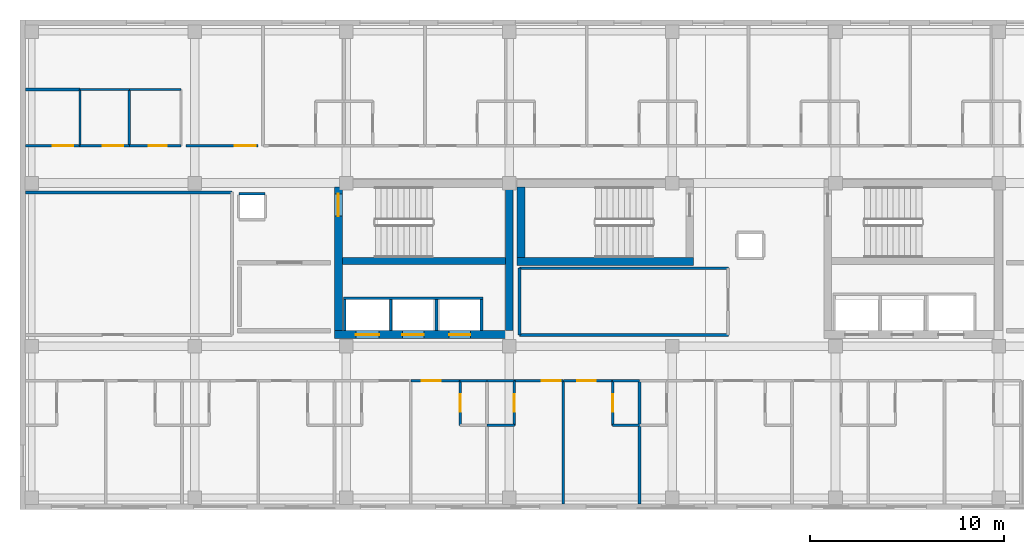
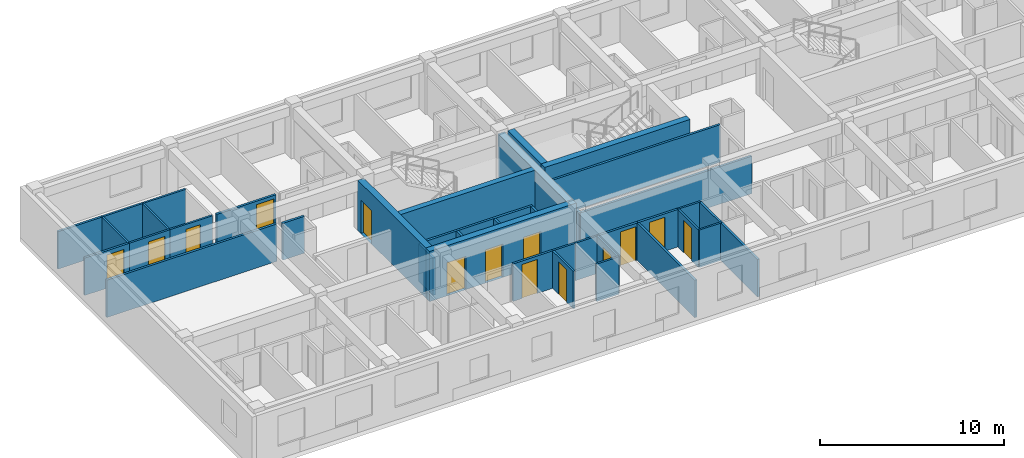
# One storey, part 3 of 10: 38 walls, 14 doors, 14 openings.
"""IFC4 building model written with IfcOpenShell, lengths in metres."""

import ifcopenshell
import ifcopenshell.guid

model = None  # the IFC model being written
_history = None  # IfcOwnerHistory: only IFC2X3 demands one
_inside = {}  # id of a spatial element -> (the spatial element, [elements in it])
_under = {}  # id of a project, library or spatial element -> (it, [spatial elements below it])
_declared = {}  # id of a project -> (the project, [libraries it declares])
_typed = {}  # id of a type object -> (the type object, [elements of that type])
_made_of = {}  # id of a material, layer set ... -> (it, [elements and type objects made of it])


def new_model(schema):
    """Start an empty IFC model of exactly this schema.

    Asked for "IFC4X3", IfcOpenShell would pick the latest addendum, in which some entities
    have other attributes; the version numbers below select the first issue.
    IFC2X3 requires an IfcOwnerHistory on every rooted entity: one is made here for all.
    """
    global model, _history
    if schema == "IFC4X3":
        model = ifcopenshell.file(schema_version=(4, 3, 0, 0))
    else:
        model = ifcopenshell.file(schema=schema)
    _inside.clear()
    _under.clear()
    _declared.clear()
    _typed.clear()
    _made_of.clear()
    _history = None
    if model.schema == "IFC2X3":
        org = make("IfcOrganization", Name="unknown")
        user = make(
            "IfcPersonAndOrganization",
            ThePerson=make("IfcPerson", FamilyName="unknown"),
            TheOrganization=org,
        )
        app = make(
            "IfcApplication",
            ApplicationDeveloper=org,
            Version="unknown",
            ApplicationFullName="unknown",
            ApplicationIdentifier="unknown",
        )
        _history = make(
            "IfcOwnerHistory",
            OwningUser=user,
            OwningApplication=app,
            ChangeAction="ADDED",
            CreationDate=0,
        )
    return model


def make(cls, **values):
    """One entity of the class cls with the attributes given. An attribute that is None is left unset."""
    return model.create_entity(
        cls, **{name: value for name, value in values.items() if value is not None}
    )


def rooted(cls, **values):
    """An entity with a GlobalId (a new one), such as an element, a storey or a relation."""
    return make(cls, GlobalId=ifcopenshell.guid.new(), OwnerHistory=_history, **values)


def si_unit(unit_type, name, prefix=None):
    """IfcSIUnit, for example si_unit("LENGTHUNIT", "METRE", prefix="MILLI")."""
    return make("IfcSIUnit", UnitType=unit_type, Prefix=prefix, Name=name)


def assignment(units):
    """IfcUnitAssignment: the units of a project."""
    return None if units is None else make("IfcUnitAssignment", Units=units)


def point(xyz):
    """IfcCartesianPoint."""
    return None if xyz is None else make("IfcCartesianPoint", Coordinates=xyz)


def direction(xyz):
    """IfcDirection."""
    return None if xyz is None else make("IfcDirection", DirectionRatios=xyz)


def frame(location, z_axis=None, x_axis=None):
    """IfcAxis2Placement3D, a coordinate frame: its origin and axes. An axis left out is left unset."""
    return make(
        "IfcAxis2Placement3D",
        Location=point(location),
        Axis=direction(z_axis),
        RefDirection=direction(x_axis),
    )


def frame_2d(location, x_axis=None):
    """IfcAxis2Placement2D, a coordinate frame in the plane: its origin and x axis."""
    return make(
        "IfcAxis2Placement2D", Location=point(location), RefDirection=direction(x_axis)
    )


def origin():
    """The frame at (0, 0, 0) with its axes left unset."""
    return frame((0.0, 0.0, 0.0))


def place(relative_to, where):
    """IfcLocalPlacement: puts the frame where relative to a parent placement (None: the world)."""
    return make(
        "IfcLocalPlacement", PlacementRelTo=relative_to, RelativePlacement=where
    )


def context(
    kind, dimensions, precision=None, world=None, true_north=None, identifier=None
):
    """IfcGeometricRepresentationContext, for example the 3D "Model" context."""
    return make(
        "IfcGeometricRepresentationContext",
        ContextIdentifier=identifier,
        ContextType=kind,
        CoordinateSpaceDimension=dimensions,
        Precision=precision,
        WorldCoordinateSystem=world,
        TrueNorth=true_north,
    )


def subcontext(parent, identifier, kind, view, scale=None):
    """IfcGeometricRepresentationSubContext, for example "Body" below "Model"."""
    return make(
        "IfcGeometricRepresentationSubContext",
        ContextIdentifier=identifier,
        ContextType=kind,
        ParentContext=parent,
        TargetScale=scale,
        TargetView=view,
    )


def project(units=None, contexts=None):
    """IfcProject with its units and contexts."""
    return rooted(
        "IfcProject",
        Name="project",
        RepresentationContexts=contexts,
        UnitsInContext=assignment(units),
    )


def spatial(cls, under=None, at=None, **own):
    """A site, building, storey or space (cls), placed at a placement, below another one or the project."""
    s = rooted(cls, ObjectPlacement=at, **own)
    if under is not None:
        _under.setdefault(under.id(), (under, []))[1].append(s)
    return s


def profile(cls, at=None, kind="AREA", **sizes):
    """A parametric profile (cls). Its sizes go by their IFC names, for example OverallWidth=200.0."""
    return make(cls, ProfileType=kind, Position=at, **sizes)


def rectangle(**sizes):
    """IfcRectangleProfileDef."""
    return profile("IfcRectangleProfileDef", **sizes)


def extrude(swept, where, along, depth):
    """IfcExtrudedAreaSolid: the profile swept, set in the frame where, extruded along a direction by depth."""
    return make(
        "IfcExtrudedAreaSolid",
        SweptArea=swept,
        Position=where,
        ExtrudedDirection=direction(along),
        Depth=depth,
    )


def shape(context_of_items, identifier, shape_type, items):
    """IfcShapeRepresentation: the items that make up one representation, for example the "Body"."""
    return make(
        "IfcShapeRepresentation",
        ContextOfItems=context_of_items,
        RepresentationIdentifier=identifier,
        RepresentationType=shape_type,
        Items=items,
    )


def material(Name=None, Category=None):
    """IfcMaterial."""
    return make("IfcMaterial", Name=Name, Category=Category)


def layer(
    of_material, thickness, ventilated=None, Name=None, Category=None, Priority=None
):
    """IfcMaterialLayer: one layer of a wall or slab, of a material (None: an air gap)."""
    return make(
        "IfcMaterialLayer",
        Material=of_material,
        LayerThickness=thickness,
        IsVentilated=ventilated,
        Name=Name,
        Category=Category,
        Priority=Priority,
    )


def layer_set(layers, Name=None):
    """IfcMaterialLayerSet."""
    return make("IfcMaterialLayerSet", MaterialLayers=layers, LayerSetName=Name)


def made_of(thing, what):
    """Note that an element or type object is made of a material, layer set ...; save() writes the relation."""
    if what is not None:
        _made_of.setdefault(what.id(), (what, []))[1].append(thing)
    return thing


def type_object(cls, material=None, **own):
    """A type object (cls), such as IfcWallType, which elements share."""
    return made_of(rooted(cls, **own), material)


def element(
    cls,
    number,
    at=None,
    inside=None,
    cuts=None,
    type_object=None,
    material=None,
    context=None,
    identifier="Body",
    shape_type=None,
    held_by="IfcProductDefinitionShape",
    body=None,
    shapes=None,
    **own,
):
    """One element of the class cls, such as IfcWall. Its Tag is "e" and its number.

    at: its placement. inside: the storey or other place that contains it. cuts: it is an
    opening in that element (IfcRelVoidsElement). A single representation is given by context,
    identifier, shape_type and body (its items); several are given by shapes. held_by: the class
    of the entity that holds the representations. save() writes the other relations.
    """
    e = rooted(cls, Tag="e%d" % number, ObjectPlacement=at, **own)
    if body is not None:
        shapes = [shape(context, identifier, shape_type, body)]
    if shapes is not None:
        e.Representation = make(held_by, Representations=shapes)
    if inside is not None:
        _inside.setdefault(inside.id(), (inside, []))[1].append(e)
    if cuts is not None:
        rooted(
            "IfcRelVoidsElement", RelatingBuildingElement=cuts, RelatedOpeningElement=e
        )
    if type_object is not None:
        _typed.setdefault(type_object.id(), (type_object, []))[1].append(e)
    return made_of(e, material)


def fill(opening, filler):
    """IfcRelFillsElement: the door or window that sits in an opening."""
    return rooted(
        "IfcRelFillsElement",
        RelatingOpeningElement=opening,
        RelatedBuildingElement=filler,
    )


def aggregate(whole, parts):
    """IfcRelAggregates: a whole, such as a stair, and the parts it consists of."""
    return rooted("IfcRelAggregates", RelatingObject=whole, RelatedObjects=parts)


def save(model, path):
    """Write the relations noted so far, then the file.

    IfcRelAggregates (storeys below a building ...), IfcRelContainedInSpatialStructure (elements
    in a storey), IfcRelDefinesByType, IfcRelAssociatesMaterial and IfcRelDeclares: one each for
    every whole, place, type object, material and project.
    """
    for whole, parts in _under.values():
        aggregate(whole, parts)
    for where, things in _inside.values():
        rooted(
            "IfcRelContainedInSpatialStructure",
            RelatedElements=things,
            RelatingStructure=where,
        )
    for kind, things in _typed.values():
        rooted("IfcRelDefinesByType", RelatedObjects=things, RelatingType=kind)
    for what, things in _made_of.values():
        rooted("IfcRelAssociatesMaterial", RelatedObjects=things, RelatingMaterial=what)
    for by, libraries in _declared.values():
        rooted("IfcRelDeclares", RelatingContext=by, RelatedDefinitions=libraries)
    model.write(path)


model = new_model("IFC4")

# Units and contexts
model_context = context("Model", 3, precision=1e-05, world=origin(), true_north=direction((0.0, 1.0)))
body_context = subcontext(model_context, "Body", "Model", "MODEL_VIEW")
ifc_project = project(units=[si_unit("LENGTHUNIT", "METRE"), si_unit("AREAUNIT", "SQUARE_METRE"), si_unit("VOLUMEUNIT", "CUBIC_METRE"), si_unit("PLANEANGLEUNIT", "RADIAN"), si_unit("MASSUNIT", "GRAM", prefix="KILO")], contexts=[model_context])

# Site, building, storey
site_placement = place(None, origin())
site = spatial("IfcSite", under=ifc_project, at=site_placement, CompositionType="ELEMENT")
building_placement = place(site_placement, origin())
building = spatial("IfcBuilding", under=site, at=building_placement, Name="Zayran Congress Hotel", CompositionType="ELEMENT")
storey_placement = place(building_placement, frame((0.0, 0.0, 30.0)))
storey = spatial("IfcBuildingStorey", under=building, at=storey_placement, Name="L07", CompositionType="ELEMENT", Elevation=30.0)

# Wall, openings, doors
ifc_material_1 = material(Name="Concrete C40/50", Category="concrete")
ifc_layer_1 = layer(ifc_material_1, 0.39990234375)
ifc_layer_set_1 = layer_set([ifc_layer_1], Name="Concrete C40/50")
wall_type_1 = type_object("IfcWallType", Name="WL-SH-400", PredefinedType="SHEAR", material=ifc_layer_set_1)
wall_1_placement = place(storey_placement, frame((24.60009765625, 17.800048828125, 0.0), z_axis=(0.0, 0.0, 1.0), x_axis=(1.0, 0.0, 0.0)))
wall_1 = element("IfcWall", 1, at=wall_1_placement, inside=storey, type_object=wall_type_1, Name="CWALL-C-V5W-L07-S", PredefinedType="SHEAR", context=body_context, shape_type="SweptSolid", body=[
    extrude(rectangle(XDim=9.199951171875, YDim=0.39990234375, at=frame_2d((4.60009765625, 0.0))), origin(), (0.0, 0.0, 1.0), 3.320068359375),
])
opening_1_placement = place(wall_1_placement, frame((1.10009765625, 0.0, 0.0)))
opening_1 = element("IfcOpeningElement", 2, at=opening_1_placement, cuts=wall_1, Name="Opening LD-FL01", PredefinedType="OPENING", context=body_context, shape_type="SweptSolid", body=[
    extrude(rectangle(XDim=1.199951171875, YDim=2.199951171875, at=frame_2d((0.60009765625, 1.10009765625))), frame((0.0, 0.2099609375, 0.0), z_axis=(0.0, -1.0, 0.0), x_axis=(1.0, 0.0, 0.0)), (0.0, 0.0, 1.0), 0.419921875),
])
opening_2_placement = place(wall_1_placement, frame((3.5, 0.0, 0.0)))
opening_2 = element("IfcOpeningElement", 3, at=opening_2_placement, cuts=wall_1, Name="Opening LD-PL01", PredefinedType="OPENING", context=body_context, shape_type="SweptSolid", body=[
    extrude(rectangle(XDim=1.10009765625, YDim=2.199951171875, at=frame_2d((0.550048828125, 1.10009765625))), frame((0.0, 0.2099609375, 0.0), z_axis=(0.0, -1.0, 0.0), x_axis=(1.0, 0.0, 0.0)), (0.0, 0.0, 1.0), 0.419921875),
])
opening_3_placement = place(wall_1_placement, frame((5.89990234375, 0.0, 0.0)))
opening_3 = element("IfcOpeningElement", 4, at=opening_3_placement, cuts=wall_1, Name="Opening LD-PL02", PredefinedType="OPENING", context=body_context, shape_type="SweptSolid", body=[
    extrude(rectangle(XDim=1.10009765625, YDim=2.199951171875, at=frame_2d((0.550048828125, 1.10009765625))), frame((0.0, 0.2099609375, 0.0), z_axis=(0.0, -1.0, 0.0), x_axis=(1.0, 0.0, 0.0)), (0.0, 0.0, 1.0), 0.419921875),
])
ifc_material_2 = material(Name="Brushed stainless steel sliding lift landing door", Category="steel")
door_type_1 = type_object("IfcDoorType", Name="TP-DR-LD-01", OperationType="DOUBLE_DOOR_SLIDING", PredefinedType="DOOR", material=ifc_material_2)
door_1_placement = place(opening_2_placement, origin())
door_1 = element("IfcDoor", 5, at=door_1_placement, inside=storey, type_object=door_type_1, Name="Lift PL-01 Sliding Landing Door L07", OperationType="DOUBLE_DOOR_SLIDING", OverallHeight=2.199951171875, OverallWidth=1.10009765625, PredefinedType="DOOR", context=body_context, shape_type="SweptSolid", body=[
    extrude(rectangle(XDim=1.10009765625, YDim=2.199951171875, at=frame_2d((0.550048828125, 1.10009765625))), frame((0.0, 0.02490234375, 0.0), z_axis=(0.0, -1.0, 0.0), x_axis=(1.0, 0.0, 0.0)), (0.0, 0.0, 1.0), 0.050048828125),
])
fill(opening_2, door_1)
door_2_placement = place(opening_3_placement, origin())
door_2 = element("IfcDoor", 6, at=door_2_placement, inside=storey, type_object=door_type_1, Name="Lift PL-02 Sliding Landing Door L07", OperationType="DOUBLE_DOOR_SLIDING", OverallHeight=2.199951171875, OverallWidth=1.10009765625, PredefinedType="DOOR", context=body_context, shape_type="SweptSolid", body=[
    extrude(rectangle(XDim=1.10009765625, YDim=2.199951171875, at=frame_2d((0.550048828125, 1.10009765625))), frame((0.0, 0.02490234375, 0.0), z_axis=(0.0, -1.0, 0.0), x_axis=(1.0, 0.0, 0.0)), (0.0, 0.0, 1.0), 0.050048828125),
])
fill(opening_3, door_2)
ifc_material_3 = material(Name="Brushed stainless steel firefighting lift landing door", Category="steel")
door_type_2 = type_object("IfcDoorType", Name="TP-DR-LD-02", OperationType="DOUBLE_DOOR_SLIDING", PredefinedType="DOOR", material=ifc_material_3)
door_3_placement = place(opening_1_placement, origin())
door_3 = element("IfcDoor", 7, at=door_3_placement, inside=storey, type_object=door_type_2, Name="Lift FL-01 Sliding Landing Door L07", OperationType="DOUBLE_DOOR_SLIDING", OverallHeight=2.199951171875, OverallWidth=1.199951171875, PredefinedType="DOOR", context=body_context, shape_type="SweptSolid", body=[
    extrude(rectangle(XDim=1.199951171875, YDim=2.199951171875, at=frame_2d((0.60009765625, 1.10009765625))), frame((0.0, 0.02490234375, 0.0), z_axis=(0.0, -1.0, 0.0), x_axis=(1.0, 0.0, 0.0)), (0.0, 0.0, 1.0), 0.050048828125),
])
fill(opening_1, door_3)

# Wall, opening, door
wall_2_placement = place(storey_placement, frame((24.800048828125, 25.39990234375, 0.0), z_axis=(0.0, 0.0, 1.0), x_axis=(0.0, -1.0, 0.0)))
wall_2 = element("IfcWall", 8, at=wall_2_placement, inside=storey, type_object=wall_type_1, Name="CWALL-C-V5W-L07-W", PredefinedType="SHEAR", context=body_context, shape_type="SweptSolid", body=[
    extrude(rectangle(XDim=7.39990234375, YDim=0.39990234375, at=frame_2d((3.699951171875, 0.0))), origin(), (0.0, 0.0, 1.0), 3.320068359375),
])
opening_4_placement = place(wall_2_placement, frame((0.35009765625, 0.0, 0.0)))
opening_4 = element("IfcOpeningElement", 9, at=opening_4_placement, cuts=wall_2, Name="Opening DR-FD-90", PredefinedType="OPENING", context=body_context, shape_type="SweptSolid", body=[
    extrude(rectangle(XDim=1.14990234375, YDim=2.199951171875, at=frame_2d((0.574951171875, 1.10009765625))), frame((0.0, 0.2099609375, 0.0), z_axis=(0.0, -1.0, 0.0), x_axis=(1.0, 0.0, 0.0)), (0.0, 0.0, 1.0), 0.419921875),
])
ifc_material_4 = material(Name="Painted steel fire door assembly", Category="steel")
door_type_3 = type_object("IfcDoorType", Name="TP-DR-FD-90", OperationType="NOTDEFINED", PredefinedType="DOOR", material=ifc_material_4)
door_4_placement = place(opening_4_placement, origin())
door_4 = element("IfcDoor", 10, at=door_4_placement, inside=storey, type_object=door_type_3, Name="ST-01 Exit Stair Door L07", OperationType="SINGLE_SWING_LEFT", OverallHeight=2.199951171875, OverallWidth=1.14990234375, PredefinedType="DOOR", context=body_context, shape_type="SweptSolid", body=[
    extrude(rectangle(XDim=1.14990234375, YDim=2.199951171875, at=frame_2d((0.574951171875, 1.10009765625))), frame((0.0, 0.02490234375, 0.0), z_axis=(0.0, -1.0, 0.0), x_axis=(1.0, 0.0, 0.0)), (0.0, 0.0, 1.0), 0.050048828125),
])
fill(opening_4, door_4)

# Walls
wall_3_placement = place(storey_placement, frame((33.60009765625, 18.0, 0.0), z_axis=(0.0, 0.0, 1.0), x_axis=(0.0, 1.0, 0.0)))
element("IfcWall", 11, at=wall_3_placement, inside=storey, type_object=wall_type_1, Name="CWALL-C-V5W-L07-E", PredefinedType="SHEAR", context=body_context, shape_type="SweptSolid", body=[
    extrude(rectangle(XDim=7.39990234375, YDim=0.39990234375, at=frame_2d((3.699951171875, 0.0))), origin(), (0.0, 0.0, 1.0), 3.320068359375),
])
wall_4_placement = place(storey_placement, frame((34.0, 21.56005859375, 0.0), z_axis=(0.0, 0.0, 1.0), x_axis=(1.0, 0.0, 0.0)))
element("IfcWall", 12, at=wall_4_placement, inside=storey, type_object=wall_type_1, Name="CWALL-C-V5M-L07-S", PredefinedType="SHEAR", context=body_context, shape_type="SweptSolid", body=[
    extrude(rectangle(XDim=9.10009765625, YDim=0.39990234375, at=frame_2d((4.550048828125, 0.0))), origin(), (0.0, 0.0, 1.0), 3.320068359375),
])
wall_5_placement = place(storey_placement, frame((34.199951171875, 25.39990234375, 0.0), z_axis=(0.0, 0.0, 1.0), x_axis=(0.0, -1.0, 0.0)))
element("IfcWall", 13, at=wall_5_placement, inside=storey, type_object=wall_type_1, Name="CWALL-C-V5M-L07-W", PredefinedType="SHEAR", context=body_context, shape_type="SweptSolid", body=[
    extrude(rectangle(XDim=3.639892578125, YDim=0.39990234375, at=frame_2d((1.81982421875, 0.0))), origin(), (0.0, 0.0, 1.0), 3.320068359375),
])
ifc_layer_2 = layer(ifc_material_1, 0.35009765625)
ifc_layer_set_2 = layer_set([ifc_layer_2], Name="Concrete C40/50")
wall_type_2 = type_object("IfcWallType", Name="WL-SH-350", PredefinedType="SHEAR", material=ifc_layer_set_2)
wall_6_placement = place(storey_placement, frame((25.0, 21.5849609375, 0.0), z_axis=(0.0, 0.0, 1.0), x_axis=(1.0, 0.0, 0.0)))
element("IfcWall", 14, at=wall_6_placement, inside=storey, type_object=wall_type_2, Name="CWALL-C-V5W-L07-SPN", PredefinedType="SHEAR", context=body_context, shape_type="SweptSolid", body=[
    extrude(rectangle(XDim=8.39990234375, YDim=0.35009765625, at=frame_2d((4.199951171875, 0.0))), origin(), (0.0, 0.0, 1.0), 3.320068359375),
])
ifc_material_5 = material(Name="Hospitality guestroom acoustic partition", Category="gypsum")
ifc_layer_3 = layer(ifc_material_5, 0.139892578125)
ifc_layer_set_3 = layer_set([ifc_layer_3], Name="Hospitality guestroom acoustic partition")
wall_type_3 = type_object("IfcWallType", Name="WL-PT-140", PredefinedType="PARTITIONING", material=ifc_layer_set_3)
for number, where, z_axis, x_axis, name in (
    (15, (25.1298828125, 18.0, 0.0), (0.0, 0.0, 1.0), (0.0, 1.0, 0.0), "LSHW-C-V5W-L07-W"),
    (16, (27.5, 18.0, 0.0), (0.0, 0.0, 1.0), (0.0, 1.0, 0.0), "LSHW-C-V5W-L07-DIV1"),
    (17, (29.85009765625, 18.0, 0.0), (0.0, 0.0, 1.0), (0.0, 1.0, 0.0), "LSHW-C-V5W-L07-DIV2"),
    (18, (32.169921875, 18.0, 0.0), (0.0, 0.0, 1.0), (0.0, 1.0, 0.0), "LSHW-C-V5W-L07-E"),
):
    element("IfcWall", number, at=place(storey_placement, frame(where, z_axis=z_axis, x_axis=x_axis)), inside=storey, type_object=wall_type_3, Name=name, PredefinedType="PARTITIONING", context=body_context, shape_type="SweptSolid", body=[
        extrude(rectangle(XDim=1.60009765625, YDim=0.139892578125, at=frame_2d((0.800048828125, 0.0))), origin(), (0.0, 0.0, 1.0), 2.469970703125),
    ])
wall_7_placement = place(storey_placement, frame((25.06005859375, 19.669921875, 0.0), z_axis=(0.0, 0.0, 1.0), x_axis=(1.0, 0.0, 0.0)))
element("IfcWall", 19, at=wall_7_placement, inside=storey, type_object=wall_type_3, Name="LSHW-C-V5W-L07-N", PredefinedType="PARTITIONING", context=body_context, shape_type="SweptSolid", body=[
    extrude(rectangle(XDim=7.179931640625, YDim=0.139892578125, at=frame_2d((3.58984375, 0.0))), origin(), (0.0, 0.0, 1.0), 2.469970703125),
])

# Wall, opening, door
wall_8_placement = place(storey_placement, frame((28.544921875, 15.419921875, 0.0), z_axis=(0.0, 0.0, 1.0), x_axis=(1.0, 0.0, 0.0)))
wall_8 = element("IfcWall", 20, at=wall_8_placement, inside=storey, type_object=wall_type_3, Name="IW-L07-0731", PredefinedType="PARTITIONING", context=body_context, shape_type="SweptSolid", body=[
    extrude(rectangle(XDim=2.524169921875, YDim=0.139892578125, at=frame_2d((1.26220703125, 0.0))), origin(), (0.0, 0.0, 1.0), 2.47998046875),
])
opening_5_placement = place(wall_8_placement, frame((0.552978515625, 0.0, 0.0)))
opening_5 = element("IfcOpeningElement", 21, at=opening_5_placement, cuts=wall_8, Name="Opening DR-GR-03", PredefinedType="OPENING", context=body_context, shape_type="SweptSolid", body=[
    extrude(rectangle(XDim=0.9599609375, YDim=2.25, at=frame_2d((0.47998046875, 1.125))), frame((0.0, 0.079833984375, 0.0), z_axis=(0.0, -1.0, 0.0), x_axis=(1.0, 0.0, 0.0)), (0.0, 0.0, 1.0), 0.159912109375),
])
ifc_material_6 = material(Name="Executive walnut veneer entry door", Category="wood")
door_type_4 = type_object("IfcDoorType", Name="TP-DR-GR-03", OperationType="NOTDEFINED", PredefinedType="DOOR", material=ifc_material_6)
door_5_placement = place(opening_5_placement, origin())
door_5 = element("IfcDoor", 22, at=door_5_placement, inside=storey, type_object=door_type_4, Name="Guest Room L07-06 Door", OperationType="SINGLE_SWING_RIGHT", OverallHeight=2.25, OverallWidth=0.9599609375, PredefinedType="DOOR", context=body_context, shape_type="SweptSolid", body=[
    extrude(rectangle(XDim=0.9599609375, YDim=2.25, at=frame_2d((0.47998046875, 1.125))), frame((0.0, 0.02490234375, 0.0), z_axis=(0.0, -1.0, 0.0), x_axis=(1.0, 0.0, 0.0)), (0.0, 0.0, 1.0), 0.050048828125),
])
fill(opening_5, door_5)

wall_9_placement = place(storey_placement, frame((33.85498046875, 15.419921875, 0.0), z_axis=(0.0, 0.0, 1.0), x_axis=(1.0, 0.0, 0.0)))
wall_9 = element("IfcWall", 23, at=wall_9_placement, inside=storey, type_object=wall_type_3, Name="IW-L07-0732", PredefinedType="PARTITIONING", context=body_context, shape_type="SweptSolid", body=[
    extrude(rectangle(XDim=2.52294921875, YDim=0.139892578125, at=frame_2d((1.261474609375, 0.0))), origin(), (0.0, 0.0, 1.0), 2.47998046875),
])
opening_6_placement = place(wall_9_placement, frame((1.423095703125, 0.0, 0.0)))
opening_6 = element("IfcOpeningElement", 24, at=opening_6_placement, cuts=wall_9, Name="Opening DR-GR-03", PredefinedType="OPENING", context=body_context, shape_type="SweptSolid", body=[
    extrude(rectangle(XDim=0.9599609375, YDim=2.25, at=frame_2d((0.47998046875, 1.125))), frame((0.0, 0.079833984375, 0.0), z_axis=(0.0, -1.0, 0.0), x_axis=(1.0, 0.0, 0.0)), (0.0, 0.0, 1.0), 0.159912109375),
])
door_6_placement = place(opening_6_placement, origin())
door_6 = element("IfcDoor", 25, at=door_6_placement, inside=storey, type_object=door_type_4, Name="Guest Room L07-07 Door", OperationType="SINGLE_SWING_LEFT", OverallHeight=2.25, OverallWidth=0.9599609375, PredefinedType="DOOR", context=body_context, shape_type="SweptSolid", body=[
    extrude(rectangle(XDim=0.9599609375, YDim=2.25, at=frame_2d((0.47998046875, 1.125))), frame((0.0, 0.02490234375, 0.0), z_axis=(0.0, -1.0, 0.0), x_axis=(1.0, 0.0, 0.0)), (0.0, 0.0, 1.0), 0.050048828125),
])
fill(opening_6, door_6)

wall_10_placement = place(storey_placement, frame((36.39794921875, 15.419921875, 0.0), z_axis=(0.0, 0.0, 1.0), x_axis=(1.0, 0.0, 0.0)))
wall_10 = element("IfcWall", 26, at=wall_10_placement, inside=storey, type_object=wall_type_3, Name="IW-L07-0733", PredefinedType="PARTITIONING", context=body_context, shape_type="SweptSolid", body=[
    extrude(rectangle(XDim=2.524169921875, YDim=0.139892578125, at=frame_2d((1.26220703125, 0.0))), origin(), (0.0, 0.0, 1.0), 2.47998046875),
])
opening_7_placement = place(wall_10_placement, frame((0.68994140625, 0.0, 0.0)))
opening_7 = element("IfcOpeningElement", 27, at=opening_7_placement, cuts=wall_10, Name="Opening DR-GR-03", PredefinedType="OPENING", context=body_context, shape_type="SweptSolid", body=[
    extrude(rectangle(XDim=0.9599609375, YDim=2.25, at=frame_2d((0.47998046875, 1.125))), frame((0.0, 0.079833984375, 0.0), z_axis=(0.0, -1.0, 0.0), x_axis=(1.0, 0.0, 0.0)), (0.0, 0.0, 1.0), 0.159912109375),
])
door_7_placement = place(opening_7_placement, origin())
door_7 = element("IfcDoor", 28, at=door_7_placement, inside=storey, type_object=door_type_4, Name="Guest Room L07-08 Door", OperationType="SINGLE_SWING_RIGHT", OverallHeight=2.25, OverallWidth=0.9599609375, PredefinedType="DOOR", context=body_context, shape_type="SweptSolid", body=[
    extrude(rectangle(XDim=0.9599609375, YDim=2.25, at=frame_2d((0.47998046875, 1.125))), frame((0.0, 0.02490234375, 0.0), z_axis=(0.0, -1.0, 0.0), x_axis=(1.0, 0.0, 0.0)), (0.0, 0.0, 1.0), 0.050048828125),
])
fill(opening_7, door_7)

wall_11_placement = place(storey_placement, frame((8.679931640625, 27.530029296875, 0.0), z_axis=(0.0, 0.0, 1.0), x_axis=(1.0, 0.0, 0.0)))
wall_11 = element("IfcWall", 29, at=wall_11_placement, inside=storey, type_object=wall_type_3, Name="IW-L07-0739", PredefinedType="PARTITIONING", context=body_context, shape_type="SweptSolid", body=[
    extrude(rectangle(XDim=2.800048828125, YDim=0.139892578125, at=frame_2d((1.39990234375, 0.0))), origin(), (0.0, 0.0, 1.0), 2.47998046875),
])
opening_8_placement = place(wall_11_placement, frame((1.409912109375, 0.0, 0.0)))
opening_8 = element("IfcOpeningElement", 30, at=opening_8_placement, cuts=wall_11, Name="Opening DR-PL-02", PredefinedType="OPENING", context=body_context, shape_type="SweptSolid", body=[
    extrude(rectangle(XDim=1.06005859375, YDim=2.199951171875, at=frame_2d((0.530029296875, 1.10009765625))), frame((0.0, 0.079833984375, 0.0), z_axis=(0.0, -1.0, 0.0), x_axis=(1.0, 0.0, 0.0)), (0.0, 0.0, 1.0), 0.159912109375),
])
ifc_material_7 = material(Name="Painted steel store room fire door", Category="steel")
door_type_5 = type_object("IfcDoorType", Name="TP-DR-PL-02", OperationType="NOTDEFINED", PredefinedType="DOOR", material=ifc_material_7)
door_8_placement = place(opening_8_placement, origin())
door_8 = element("IfcDoor", 31, at=door_8_placement, inside=storey, type_object=door_type_5, Name="Housekeeping and Linen Store L07 Door", OperationType="SINGLE_SWING_LEFT", OverallHeight=2.199951171875, OverallWidth=1.06005859375, PredefinedType="DOOR", context=body_context, shape_type="SweptSolid", body=[
    extrude(rectangle(XDim=1.06005859375, YDim=2.199951171875, at=frame_2d((0.530029296875, 1.10009765625))), frame((0.0, 0.02490234375, 0.0), z_axis=(0.0, -1.0, 0.0), x_axis=(1.0, 0.0, 0.0)), (0.0, 0.0, 1.0), 0.050048828125),
])
fill(opening_8, door_8)

wall_12_placement = place(storey_placement, frame((16.9599609375, 27.530029296875, 0.0), z_axis=(0.0, 0.0, 1.0), x_axis=(1.0, 0.0, 0.0)))
wall_12 = element("IfcWall", 32, at=wall_12_placement, inside=storey, type_object=wall_type_3, Name="IW-L07-0740", PredefinedType="PARTITIONING", context=body_context, shape_type="SweptSolid", body=[
    extrude(rectangle(XDim=3.7099609375, YDim=0.139892578125, at=frame_2d((1.85498046875, 0.0))), origin(), (0.0, 0.0, 1.0), 2.47998046875),
])
opening_9_placement = place(wall_12_placement, frame((2.489990234375, 0.0, 0.0)))
opening_9 = element("IfcOpeningElement", 33, at=opening_9_placement, cuts=wall_12, Name="Opening DR-MT-01", PredefinedType="OPENING", context=body_context, shape_type="SweptSolid", body=[
    extrude(rectangle(XDim=1.080078125, YDim=2.25, at=frame_2d((0.5400390625, 1.125))), frame((0.0, 0.079833984375, 0.0), z_axis=(0.0, -1.0, 0.0), x_axis=(1.0, 0.0, 0.0)), (0.0, 0.0, 1.0), 0.159912109375),
])
ifc_material_8 = material(Name="Acoustic timber seminar room door", Category="wood")
door_type_6 = type_object("IfcDoorType", Name="TP-DR-MT-01", OperationType="NOTDEFINED", PredefinedType="DOOR", material=ifc_material_8)
door_9_placement = place(opening_9_placement, origin())
door_9 = element("IfcDoor", 34, at=door_9_placement, inside=storey, type_object=door_type_6, Name="Club Library Lounge L07 Door", OperationType="SINGLE_SWING_RIGHT", OverallHeight=2.25, OverallWidth=1.080078125, PredefinedType="DOOR", context=body_context, shape_type="SweptSolid", body=[
    extrude(rectangle(XDim=1.080078125, YDim=2.25, at=frame_2d((0.5400390625, 1.125))), frame((0.0, 0.02490234375, 0.0), z_axis=(0.0, -1.0, 0.0), x_axis=(1.0, 0.0, 0.0)), (0.0, 0.0, 1.0), 0.050048828125),
])
fill(opening_9, door_9)

# Walls
for number, where, z_axis, x_axis, name in (
    (35, (34.1201171875, 17.780029296875, 0.0), (0.0, 0.0, 1.0), (1.0, 0.0, 0.0), "IW-L07-2051"),
    (36, (34.1201171875, 21.219970703125, 0.0), (0.0, 0.0, 1.0), (1.0, 0.0, 0.0), "IW-L07-2052"),
):
    element("IfcWall", number, at=place(storey_placement, frame(where, z_axis=z_axis, x_axis=x_axis)), inside=storey, type_object=wall_type_3, Name=name, PredefinedType="PARTITIONING", context=body_context, shape_type="SweptSolid", body=[
        extrude(rectangle(XDim=10.759765625, YDim=0.139892578125, at=frame_2d((5.3798828125, 0.0))), origin(), (0.0, 0.0, 1.0), 2.47998046875),
    ])
wall_13_placement = place(storey_placement, frame((34.1298828125, 17.77001953125, 0.0), z_axis=(0.0, 0.0, 1.0), x_axis=(0.0, 1.0, 0.0)))
element("IfcWall", 37, at=wall_13_placement, inside=storey, type_object=wall_type_3, Name="IW-L07-2053", PredefinedType="PARTITIONING", context=body_context, shape_type="SweptSolid", body=[
    extrude(rectangle(XDim=3.4599609375, YDim=0.139892578125, at=frame_2d((1.72998046875, 0.0))), origin(), (0.0, 0.0, 1.0), 2.47998046875),
])
wall_14_placement = place(storey_placement, frame((8.679931640625, 25.1201171875, 0.0), z_axis=(0.0, 0.0, 1.0), x_axis=(1.0, 0.0, 0.0)))
element("IfcWall", 38, at=wall_14_placement, inside=storey, type_object=wall_type_3, Name="IW-L07-2054", PredefinedType="PARTITIONING", context=body_context, shape_type="SweptSolid", body=[
    extrude(rectangle(XDim=10.650146484375, YDim=0.139892578125, at=frame_2d((5.3251953125, 0.0))), origin(), (0.0, 0.0, 1.0), 2.47998046875),
])
for number, where, z_axis, x_axis, name in (
    (39, (36.3779296875, 9.080078125, 0.0), (0.0, 0.0, 1.0), (0.0, 1.0, 0.0), "IW-L07-2065"),
    (40, (40.304931640625, 9.080078125, 0.0), (0.0, 0.0, 1.0), (0.0, 1.0, 0.0), "IW-L07-2066"),
):
    element("IfcWall", number, at=place(storey_placement, frame(where, z_axis=z_axis, x_axis=x_axis)), inside=storey, type_object=wall_type_3, Name=name, PredefinedType="PARTITIONING", context=body_context, shape_type="SweptSolid", body=[
        extrude(rectangle(XDim=6.349853515625, YDim=0.139892578125, at=frame_2d((3.1748046875, 0.0))), origin(), (0.0, 0.0, 1.0), 2.47998046875),
    ])
wall_15_placement = place(storey_placement, frame((8.679931640625, 30.419921875, 0.0), z_axis=(0.0, 0.0, 1.0), x_axis=(1.0, 0.0, 0.0)))
element("IfcWall", 41, at=wall_15_placement, inside=storey, type_object=wall_type_3, Name="IW-L07-2072", PredefinedType="PARTITIONING", context=body_context, shape_type="SweptSolid", body=[
    extrude(rectangle(XDim=2.800048828125, YDim=0.139892578125, at=frame_2d((1.39990234375, 0.0))), origin(), (0.0, 0.0, 1.0), 2.47998046875),
])
wall_16_placement = place(storey_placement, frame((21.030029296875, 25.050048828125, 0.0), z_axis=(0.0, 0.0, 1.0), x_axis=(-1.0, 0.0, 0.0)))
element("IfcWall", 42, at=wall_16_placement, inside=storey, type_object=wall_type_3, Name="RSWL-V5-L07-044-N", PredefinedType="PARTITIONING", context=body_context, shape_type="SweptSolid", body=[
    extrude(rectangle(XDim=1.360107421875, YDim=0.139892578125, at=frame_2d((0.68017578125, 0.0))), origin(), (0.0, 0.0, 1.0), 2.43994140625),
])

# Wall, opening, door
ifc_material_9 = material(Name="Moisture-resistant bathroom partition", Category="gypsum")
ifc_layer_4 = layer(ifc_material_9, 0.1201171875)
ifc_layer_set_4 = layer_set([ifc_layer_4], Name="Moisture-resistant bathroom partition")
wall_type_4 = type_object("IfcWallType", Name="WL-PT-120", PredefinedType="PARTITIONING", material=ifc_layer_set_4)
wall_17_placement = place(storey_placement, frame((31.069091796875, 13.1201171875, 0.0), z_axis=(0.0, 0.0, 1.0), x_axis=(0.0, 1.0, 0.0)))
wall_17 = element("IfcWall", 43, at=wall_17_placement, inside=storey, type_object=wall_type_4, Name="IW-L07-0224", PredefinedType="PARTITIONING", context=body_context, shape_type="SweptSolid", body=[
    extrude(rectangle(XDim=2.309814453125, YDim=0.1201171875, at=frame_2d((1.15478515625, 0.0))), origin(), (0.0, 0.0, 1.0), 2.47998046875),
])
opening_10_placement = place(wall_17_placement, frame((0.715087890625, 0.0, 0.0)))
opening_10 = element("IfcOpeningElement", 44, at=opening_10_placement, cuts=wall_17, Name="Opening DR-BT-01", PredefinedType="OPENING", context=body_context, shape_type="SweptSolid", body=[
    extrude(rectangle(XDim=0.8798828125, YDim=2.14990234375, at=frame_2d((0.43994140625, 1.074951171875))), frame((0.0, 0.070068359375, 0.0), z_axis=(0.0, -1.0, 0.0), x_axis=(1.0, 0.0, 0.0)), (0.0, 0.0, 1.0), 0.14013671875),
])
ifc_material_10 = material(Name="Moisture-resistant oak en-suite door", Category="wood")
door_type_7 = type_object("IfcDoorType", Name="TP-DR-BT-01", OperationType="NOTDEFINED", PredefinedType="DOOR", material=ifc_material_10)
door_10_placement = place(opening_10_placement, origin())
door_10 = element("IfcDoor", 45, at=door_10_placement, inside=storey, type_object=door_type_7, Name="En-Suite Bathroom L07-06 Door", OperationType="SINGLE_SWING_LEFT", OverallHeight=2.14990234375, OverallWidth=0.8798828125, PredefinedType="DOOR", context=body_context, shape_type="SweptSolid", body=[
    extrude(rectangle(XDim=0.8798828125, YDim=2.14990234375, at=frame_2d((0.43994140625, 1.074951171875))), frame((0.0, 0.02490234375, 0.0), z_axis=(0.0, -1.0, 0.0), x_axis=(1.0, 0.0, 0.0)), (0.0, 0.0, 1.0), 0.050048828125),
])
fill(opening_10, door_10)

wall_18_placement = place(storey_placement, frame((33.85498046875, 13.1201171875, 0.0), z_axis=(0.0, 0.0, 1.0), x_axis=(0.0, 1.0, 0.0)))
wall_18 = element("IfcWall", 46, at=wall_18_placement, inside=storey, type_object=wall_type_4, Name="IW-L07-0225", PredefinedType="PARTITIONING", context=body_context, shape_type="SweptSolid", body=[
    extrude(rectangle(XDim=2.309814453125, YDim=0.1201171875, at=frame_2d((1.15478515625, 0.0))), origin(), (0.0, 0.0, 1.0), 2.47998046875),
])
opening_11_placement = place(wall_18_placement, frame((0.715087890625, 0.0, 0.0)))
opening_11 = element("IfcOpeningElement", 47, at=opening_11_placement, cuts=wall_18, Name="Opening DR-BT-01", PredefinedType="OPENING", context=body_context, shape_type="SweptSolid", body=[
    extrude(rectangle(XDim=0.8798828125, YDim=2.14990234375, at=frame_2d((0.43994140625, 1.074951171875))), frame((0.0, 0.070068359375, 0.0), z_axis=(0.0, -1.0, 0.0), x_axis=(1.0, 0.0, 0.0)), (0.0, 0.0, 1.0), 0.14013671875),
])
door_11_placement = place(opening_11_placement, origin())
door_11 = element("IfcDoor", 48, at=door_11_placement, inside=storey, type_object=door_type_7, Name="En-Suite Bathroom L07-07 Door", OperationType="SINGLE_SWING_RIGHT", OverallHeight=2.14990234375, OverallWidth=0.8798828125, PredefinedType="DOOR", context=body_context, shape_type="SweptSolid", body=[
    extrude(rectangle(XDim=0.8798828125, YDim=2.14990234375, at=frame_2d((0.43994140625, 1.074951171875))), frame((0.0, 0.02490234375, 0.0), z_axis=(0.0, -1.0, 0.0), x_axis=(1.0, 0.0, 0.0)), (0.0, 0.0, 1.0), 0.050048828125),
])
fill(opening_11, door_11)

wall_19_placement = place(storey_placement, frame((38.922119140625, 13.1201171875, 0.0), z_axis=(0.0, 0.0, 1.0), x_axis=(0.0, 1.0, 0.0)))
wall_19 = element("IfcWall", 49, at=wall_19_placement, inside=storey, type_object=wall_type_4, Name="IW-L07-0226", PredefinedType="PARTITIONING", context=body_context, shape_type="SweptSolid", body=[
    extrude(rectangle(XDim=2.309814453125, YDim=0.1201171875, at=frame_2d((1.15478515625, 0.0))), origin(), (0.0, 0.0, 1.0), 2.47998046875),
])
opening_12_placement = place(wall_19_placement, frame((0.715087890625, 0.0, 0.0)))
opening_12 = element("IfcOpeningElement", 50, at=opening_12_placement, cuts=wall_19, Name="Opening DR-BT-01", PredefinedType="OPENING", context=body_context, shape_type="SweptSolid", body=[
    extrude(rectangle(XDim=0.8798828125, YDim=2.14990234375, at=frame_2d((0.43994140625, 1.074951171875))), frame((0.0, 0.070068359375, 0.0), z_axis=(0.0, -1.0, 0.0), x_axis=(1.0, 0.0, 0.0)), (0.0, 0.0, 1.0), 0.14013671875),
])
door_12_placement = place(opening_12_placement, origin())
door_12 = element("IfcDoor", 51, at=door_12_placement, inside=storey, type_object=door_type_7, Name="En-Suite Bathroom L07-08 Door", OperationType="SINGLE_SWING_LEFT", OverallHeight=2.14990234375, OverallWidth=0.8798828125, PredefinedType="DOOR", context=body_context, shape_type="SweptSolid", body=[
    extrude(rectangle(XDim=0.8798828125, YDim=2.14990234375, at=frame_2d((0.43994140625, 1.074951171875))), frame((0.0, 0.02490234375, 0.0), z_axis=(0.0, -1.0, 0.0), x_axis=(1.0, 0.0, 0.0)), (0.0, 0.0, 1.0), 0.050048828125),
])
fill(opening_12, door_12)

wall_20_placement = place(storey_placement, frame((11.47998046875, 27.530029296875, 0.0), z_axis=(0.0, 0.0, 1.0), x_axis=(1.0, 0.0, 0.0)))
wall_20 = element("IfcWall", 52, at=wall_20_placement, inside=storey, type_object=wall_type_4, Name="IW-L07-0369", PredefinedType="PARTITIONING", context=body_context, shape_type="SweptSolid", body=[
    extrude(rectangle(XDim=2.56005859375, YDim=0.1201171875, at=frame_2d((1.280029296875, 0.0))), origin(), (0.0, 0.0, 1.0), 2.47998046875),
])
opening_13_placement = place(wall_20_placement, frame((1.18994140625, 0.0, 0.0)))
opening_13 = element("IfcOpeningElement", 53, at=opening_13_placement, cuts=wall_20, Name="Opening DR-WC-02", PredefinedType="OPENING", context=body_context, shape_type="SweptSolid", body=[
    extrude(rectangle(XDim=1.0400390625, YDim=2.14990234375, at=frame_2d((0.52001953125, 1.074951171875))), frame((0.0, 0.070068359375, 0.0), z_axis=(0.0, -1.0, 0.0), x_axis=(1.0, 0.0, 0.0)), (0.0, 0.0, 1.0), 0.14013671875),
])
ifc_material_11 = material(Name="Accessible public washroom door", Category="steel")
door_type_8 = type_object("IfcDoorType", Name="TP-DR-WC-02", OperationType="NOTDEFINED", PredefinedType="DOOR", material=ifc_material_11)
door_13_placement = place(opening_13_placement, origin())
door_13 = element("IfcDoor", 54, at=door_13_placement, inside=storey, type_object=door_type_8, Name="Accessible WC L07 Door", OperationType="SINGLE_SWING_RIGHT", OverallHeight=2.14990234375, OverallWidth=1.0400390625, PredefinedType="DOOR", context=body_context, shape_type="SweptSolid", body=[
    extrude(rectangle(XDim=1.0400390625, YDim=2.14990234375, at=frame_2d((0.52001953125, 1.074951171875))), frame((0.0, 0.02490234375, 0.0), z_axis=(0.0, -1.0, 0.0), x_axis=(1.0, 0.0, 0.0)), (0.0, 0.0, 1.0), 0.050048828125),
])
fill(opening_13, door_13)

wall_21_placement = place(storey_placement, frame((14.0400390625, 27.530029296875, 0.0), z_axis=(0.0, 0.0, 1.0), x_axis=(1.0, 0.0, 0.0)))
wall_21 = element("IfcWall", 55, at=wall_21_placement, inside=storey, type_object=wall_type_4, Name="IW-L07-0370", PredefinedType="PARTITIONING", context=body_context, shape_type="SweptSolid", body=[
    extrude(rectangle(XDim=2.659912109375, YDim=0.1201171875, at=frame_2d((1.330078125, 0.0))), origin(), (0.0, 0.0, 1.0), 2.47998046875),
])
opening_14_placement = place(wall_21_placement, frame((0.986083984375, 0.0, 0.0)))
opening_14 = element("IfcOpeningElement", 56, at=opening_14_placement, cuts=wall_21, Name="Opening DR-WC-01", PredefinedType="OPENING", context=body_context, shape_type="SweptSolid", body=[
    extrude(rectangle(XDim=0.919921875, YDim=2.14990234375, at=frame_2d((0.4599609375, 1.074951171875))), frame((0.0, 0.070068359375, 0.0), z_axis=(0.0, -1.0, 0.0), x_axis=(1.0, 0.0, 0.0)), (0.0, 0.0, 1.0), 0.14013671875),
])
ifc_material_12 = material(Name="Laminated timber public washroom door", Category="wood")
door_type_9 = type_object("IfcDoorType", Name="TP-DR-WC-01", OperationType="NOTDEFINED", PredefinedType="DOOR", material=ifc_material_12)
door_14_placement = place(opening_14_placement, origin())
door_14 = element("IfcDoor", 57, at=door_14_placement, inside=storey, type_object=door_type_9, Name="Public WC L07 Door", OperationType="SINGLE_SWING_LEFT", OverallHeight=2.14990234375, OverallWidth=0.919921875, PredefinedType="DOOR", context=body_context, shape_type="SweptSolid", body=[
    extrude(rectangle(XDim=0.919921875, YDim=2.14990234375, at=frame_2d((0.4599609375, 1.074951171875))), frame((0.0, 0.02490234375, 0.0), z_axis=(0.0, -1.0, 0.0), x_axis=(1.0, 0.0, 0.0)), (0.0, 0.0, 1.0), 0.050048828125),
])
fill(opening_14, door_14)

# Walls
wall_22_placement = place(storey_placement, frame((31.05908203125, 15.419921875, 0.0), z_axis=(0.0, 0.0, 1.0), x_axis=(1.0, 0.0, 0.0)))
element("IfcWall", 58, at=wall_22_placement, inside=storey, type_object=wall_type_4, Name="IW-L07-1316", PredefinedType="PARTITIONING", context=body_context, shape_type="SweptSolid", body=[
    extrude(rectangle(XDim=1.40283203125, YDim=0.1201171875, at=frame_2d((0.701416015625, 0.0))), origin(), (0.0, 0.0, 1.0), 2.47998046875),
])
wall_23_placement = place(storey_placement, frame((32.4619140625, 13.1298828125, 0.0), z_axis=(0.0, 0.0, 1.0), x_axis=(1.0, 0.0, 0.0)))
element("IfcWall", 59, at=wall_23_placement, inside=storey, type_object=wall_type_4, Name="IW-L07-1317", PredefinedType="PARTITIONING", context=body_context, shape_type="SweptSolid", body=[
    extrude(rectangle(XDim=1.403076171875, YDim=0.1201171875, at=frame_2d((0.70166015625, 0.0))), origin(), (0.0, 0.0, 1.0), 2.47998046875),
])
wall_24_placement = place(storey_placement, frame((32.4619140625, 15.419921875, 0.0), z_axis=(0.0, 0.0, 1.0), x_axis=(1.0, 0.0, 0.0)))
element("IfcWall", 60, at=wall_24_placement, inside=storey, type_object=wall_type_4, Name="IW-L07-1318", PredefinedType="PARTITIONING", context=body_context, shape_type="SweptSolid", body=[
    extrude(rectangle(XDim=1.39306640625, YDim=0.1201171875, at=frame_2d((0.696533203125, 0.0))), origin(), (0.0, 0.0, 1.0), 2.47998046875),
])
for number, where, z_axis, x_axis, name in (
    (61, (38.912109375, 13.1298828125, 0.0), (0.0, 0.0, 1.0), (1.0, 0.0, 0.0), "IW-L07-1319"),
    (62, (38.912109375, 15.419921875, 0.0), (0.0, 0.0, 1.0), (1.0, 0.0, 0.0), "IW-L07-1320"),
):
    element("IfcWall", number, at=place(storey_placement, frame(where, z_axis=z_axis, x_axis=x_axis)), inside=storey, type_object=wall_type_4, Name=name, PredefinedType="PARTITIONING", context=body_context, shape_type="SweptSolid", body=[
        extrude(rectangle(XDim=1.40283203125, YDim=0.1201171875, at=frame_2d((0.701416015625, 0.0))), origin(), (0.0, 0.0, 1.0), 2.47998046875),
    ])
wall_25_placement = place(storey_placement, frame((11.47998046875, 30.419921875, 0.0), z_axis=(0.0, 0.0, 1.0), x_axis=(1.0, 0.0, 0.0)))
element("IfcWall", 63, at=wall_25_placement, inside=storey, type_object=wall_type_4, Name="IW-L07-1607", PredefinedType="PARTITIONING", context=body_context, shape_type="SweptSolid", body=[
    extrude(rectangle(XDim=2.56005859375, YDim=0.1201171875, at=frame_2d((1.280029296875, 0.0))), origin(), (0.0, 0.0, 1.0), 2.47998046875),
])
for number, where, z_axis, x_axis, name in (
    (64, (11.489990234375, 27.52001953125, 0.0), (0.0, 0.0, 1.0), (0.0, 1.0, 0.0), "IW-L07-1608"),
    (65, (14.030029296875, 27.52001953125, 0.0), (0.0, 0.0, 1.0), (0.0, 1.0, 0.0), "IW-L07-1609"),
):
    element("IfcWall", number, at=place(storey_placement, frame(where, z_axis=z_axis, x_axis=x_axis)), inside=storey, type_object=wall_type_4, Name=name, PredefinedType="PARTITIONING", context=body_context, shape_type="SweptSolid", body=[
        extrude(rectangle(XDim=2.909912109375, YDim=0.1201171875, at=frame_2d((1.455078125, 0.0))), origin(), (0.0, 0.0, 1.0), 2.47998046875),
    ])
wall_26_placement = place(storey_placement, frame((14.0400390625, 30.419921875, 0.0), z_axis=(0.0, 0.0, 1.0), x_axis=(1.0, 0.0, 0.0)))
element("IfcWall", 66, at=wall_26_placement, inside=storey, type_object=wall_type_4, Name="IW-L07-1610", PredefinedType="PARTITIONING", context=body_context, shape_type="SweptSolid", body=[
    extrude(rectangle(XDim=2.659912109375, YDim=0.1201171875, at=frame_2d((1.330078125, 0.0))), origin(), (0.0, 0.0, 1.0), 2.47998046875),
])

save(model, "model.ifc")
